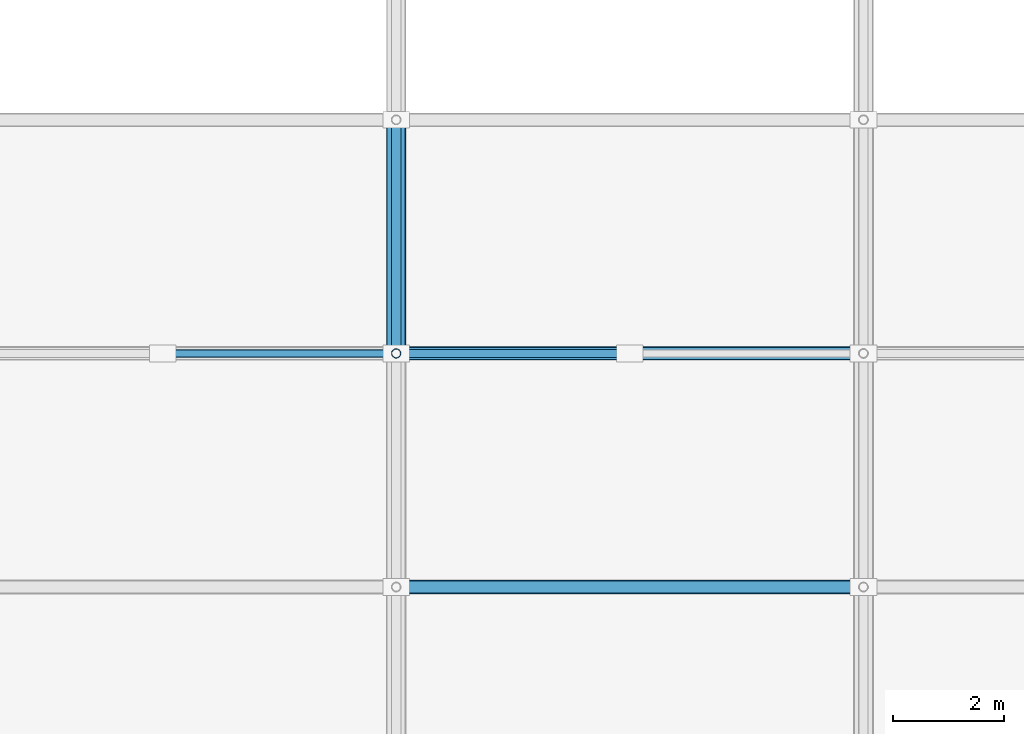
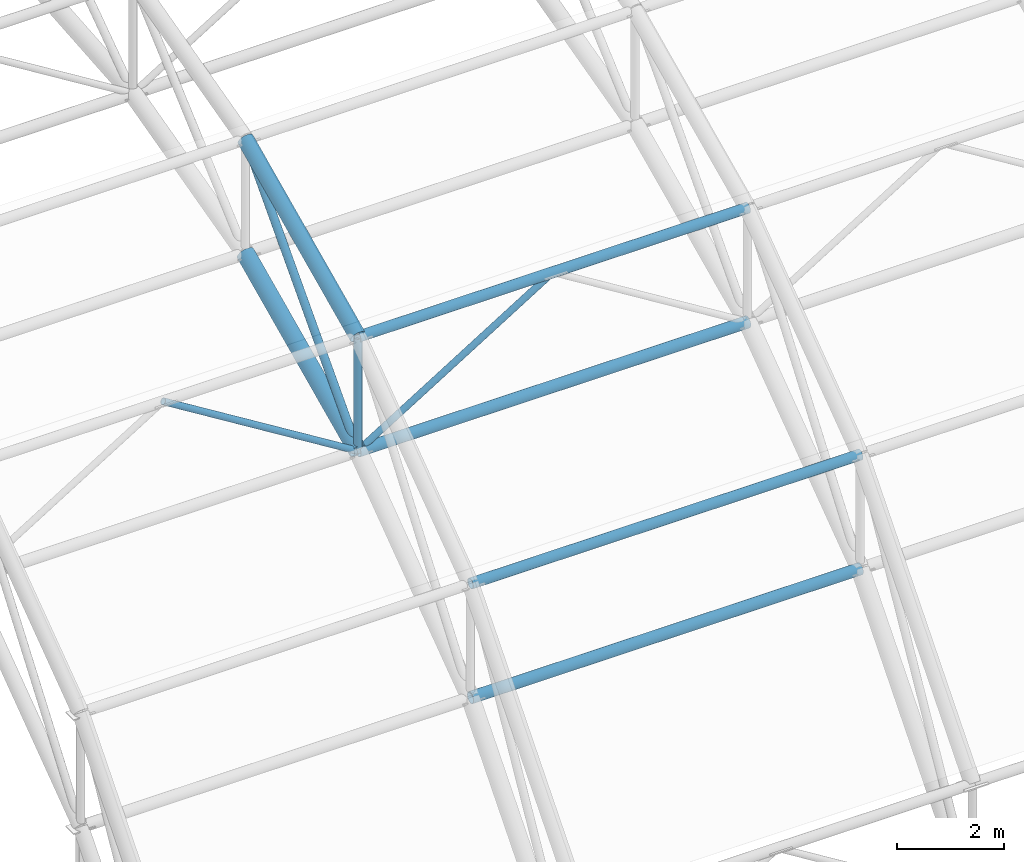
# One storey, part 9 of 103: 8 members, 2 beams.
"""IFC4 building model written with IfcOpenShell, lengths in metres."""

from ifc_helpers import new_model, si_unit, direction, frame, origin, origin_2d, place, context, subcontext, project, spatial, hollow_circle, extrude, material, material_profile, profile_set, type_object, element, save


model = new_model("IFC4")

# Units and contexts
model_context = context("Model", 3, precision=1e-05, world=origin(), true_north=direction((0.0, 1.0)))
body_context = subcontext(model_context, "Body", "Model", "MODEL_VIEW")
ifc_project = project(units=[si_unit("LENGTHUNIT", "METRE"), si_unit("AREAUNIT", "SQUARE_METRE"), si_unit("VOLUMEUNIT", "CUBIC_METRE"), si_unit("PLANEANGLEUNIT", "RADIAN"), si_unit("MASSUNIT", "GRAM", prefix="KILO")], contexts=[model_context])

# Site, building, storey
site_placement = place(None, origin())
site = spatial("IfcSite", under=ifc_project, at=site_placement, CompositionType="ELEMENT")
building_placement = place(site_placement, origin())
building = spatial("IfcBuilding", under=site, at=building_placement, Name="Varnapada Polytechnic", CompositionType="ELEMENT")
storey_placement = place(building_placement, frame((0.0, 0.0, 18.0)))
storey = spatial("IfcBuildingStorey", under=building, at=storey_placement, Name="L04", CompositionType="ELEMENT", Elevation=18.0)

# Members
ifc_material = material(Name="Steel S355", Category="steel")
ifc_material_profile_1 = material_profile(ifc_material, hollow_circle(Radius=0.122314453125, WallThickness=0.008056640625, at=origin_2d()), Name="CHS 244.5x8.0")
ifc_profile_set_1 = profile_set([ifc_material_profile_1], Name="Steel S355")
member_type_1 = type_object("IfcMemberType", Name="Vaulted space frame longitudinal bottom chord SFC-01 (CHS 244.5x8.0)", PredefinedType="CHORD", material=ifc_profile_set_1)
for number, where, z_axis, x_axis, name in (
    (1, (58.800048828125, 88.199951171875, 4.94921875), (1.0, 0.0, 0.0), (0.0, 1.0, 0.0), "Vaulted space frame longitudinal bottom chord 2.2"),
    (2, (58.800048828125, 92.39990234375, 8.02783203125), (1.0, 0.0, 0.0), (0.0, 1.0, 0.0), "Vaulted space frame longitudinal bottom chord 2.3"),
):
    element("IfcMember", number, at=place(storey_placement, frame(where, z_axis=z_axis, x_axis=x_axis)), inside=storey, type_object=member_type_1, Name=name, PredefinedType="CHORD", context=body_context, shape_type="SweptSolid", body=[
        extrude(hollow_circle(Radius=0.122314453125, WallThickness=0.008056640625, at=origin_2d()), origin(), (0.0, 0.0, 1.0), 8.39990234375),
    ])
ifc_material_profile_2 = material_profile(ifc_material, hollow_circle(Radius=0.109619140625, WallThickness=0.008056640625, at=origin_2d()), Name="CHS 219.1x8.0")
ifc_profile_set_2 = profile_set([ifc_material_profile_2], Name="Steel S355")
member_type_2 = type_object("IfcMemberType", Name="Vaulted space frame longitudinal top chord SFC-02 (CHS 219.1x8.0)", PredefinedType="CHORD", material=ifc_profile_set_2)
for number, where, z_axis, x_axis, name in (
    (3, (58.800048828125, 88.199951171875, 7.549072265625), (1.0, 0.0, 0.0), (0.0, 1.0, 0.0), "Vaulted space frame longitudinal top chord 2.2"),
    (4, (58.800048828125, 92.39990234375, 10.6279296875), (1.0, 0.0, 0.0), (0.0, 1.0, 0.0), "Vaulted space frame longitudinal top chord 2.3"),
):
    element("IfcMember", number, at=place(storey_placement, frame(where, z_axis=z_axis, x_axis=x_axis)), inside=storey, type_object=member_type_2, Name=name, PredefinedType="CHORD", context=body_context, shape_type="SweptSolid", body=[
        extrude(hollow_circle(Radius=0.109619140625, WallThickness=0.008056640625, at=origin_2d()), origin(), (0.0, 0.0, 1.0), 8.39990234375),
    ])

# Beam
ifc_material_profile_3 = material_profile(ifc_material, hollow_circle(Radius=0.177734375, WallThickness=0.012451171875, at=origin_2d()), Name="CHS 355.6x12.5")
ifc_profile_set_3 = profile_set([ifc_material_profile_3], Name="Steel S355")
beam_type_1 = type_object("IfcBeamType", Name="Vaulted space frame primary arch rib VA-01 (CHS 355.6x12.5)", PredefinedType="BEAM", material=ifc_profile_set_3)
beam_1_placement = place(storey_placement, frame((58.800048828125, 92.39990234375, 8.02783203125), z_axis=(0.0, 0.906677989805, 0.421823449802), x_axis=(-1.0, 0.0, 0.0)))
element("IfcBeam", 5, at=beam_1_placement, inside=storey, type_object=beam_type_1, Name="Vaulted space frame bottom arch chord 2.3", PredefinedType="BEAM", context=body_context, shape_type="SweptSolid", body=[
    extrude(hollow_circle(Radius=0.177734375, WallThickness=0.012451171875, at=origin_2d()), origin(), (0.0, 0.0, 1.0), 4.632568359375),
])

# Members
ifc_material_profile_4 = material_profile(ifc_material, hollow_circle(Radius=0.084228515625, WallThickness=0.00634765625, at=origin_2d()), Name="CHS 168.3x6.3")
ifc_profile_set_4 = profile_set([ifc_material_profile_4], Name="Steel S355")
member_type_3 = type_object("IfcMemberType", Name="Vaulted space frame primary web diagonal SFB-01 (CHS 168.3x6.3)", PredefinedType="BRACE", material=ifc_profile_set_4)
member_1_placement = place(storey_placement, frame((58.800048828125, 92.39990234375, 8.02783203125), z_axis=(0.0, 0.677978881407, 0.735081380777), x_axis=(-1.0, 0.0, 0.0)))
element("IfcMember", 6, at=member_1_placement, inside=storey, type_object=member_type_3, Name="Vaulted space frame web diagonal 2.3", PredefinedType="BRACE", context=body_context, shape_type="SweptSolid", body=[
    extrude(hollow_circle(Radius=0.084228515625, WallThickness=0.00634765625, at=origin_2d()), origin(), (0.0, 0.0, 1.0), 6.195068359375),
])
ifc_material_profile_5 = material_profile(ifc_material, hollow_circle(Radius=0.084228515625, WallThickness=0.00634765625, at=origin_2d()), Name="CHS 168.3x6.3")
ifc_profile_set_5 = profile_set([ifc_material_profile_5], Name="Steel S355")
member_type_4 = type_object("IfcMemberType", Name="Vaulted space frame radial web strut SFS-01 (CHS 168.3x6.3)", PredefinedType="STRUT", material=ifc_profile_set_5)
member_2_placement = place(storey_placement, frame((58.800048828125, 92.39990234375, 8.02783203125), z_axis=(0.0, 0.0, 1.0), x_axis=(1.0, 0.0, 0.0)))
element("IfcMember", 7, at=member_2_placement, inside=storey, type_object=member_type_4, Name="Vaulted space frame strut 2.3", PredefinedType="STRUT", context=body_context, shape_type="SweptSolid", body=[
    extrude(hollow_circle(Radius=0.084228515625, WallThickness=0.00634765625, at=origin_2d()), origin(), (0.0, 0.0, 1.0), 2.60009765625),
])
ifc_material_profile_6 = material_profile(ifc_material, hollow_circle(Radius=0.06982421875, WallThickness=0.0048828125, at=origin_2d()), Name="CHS 139.7x5.0")
ifc_profile_set_6 = profile_set([ifc_material_profile_6], Name="Steel S355")
member_type_5 = type_object("IfcMemberType", Name="Vaulted space frame secondary web diagonal SFB-02 (CHS 139.7x5.0)", PredefinedType="BRACE", material=ifc_profile_set_6)
for number, where, z_axis, x_axis, name in (
    (8, (58.800048828125, 92.39990234375, 8.02783203125), (-0.85025356003, 0.0, 0.526373331065), (0.0, -1.0, 0.0), "Vaulted space frame longitudinal brace 1.3B"),
    (9, (58.800048828125, 92.39990234375, 8.02783203125), (0.85025356003, 0.0, 0.526373331065), (0.0, 1.0, 0.0), "Vaulted space frame longitudinal brace 2.3A"),
):
    element("IfcMember", number, at=place(storey_placement, frame(where, z_axis=z_axis, x_axis=x_axis)), inside=storey, type_object=member_type_5, Name=name, PredefinedType="BRACE", context=body_context, shape_type="SweptSolid", body=[
        extrude(hollow_circle(Radius=0.06982421875, WallThickness=0.0048828125, at=origin_2d()), origin(), (0.0, 0.0, 1.0), 4.939697265625),
    ])

# Beam
ifc_material_profile_7 = material_profile(ifc_material, hollow_circle(Radius=0.161865234375, WallThickness=0.010009765625, at=origin_2d()), Name="CHS 323.9x10.0")
ifc_profile_set_7 = profile_set([ifc_material_profile_7], Name="Steel S355")
beam_type_2 = type_object("IfcBeamType", Name="Vaulted space frame upper arch rib VA-02 (CHS 323.9x10.0)", PredefinedType="BEAM", material=ifc_profile_set_7)
beam_2_placement = place(storey_placement, frame((58.800048828125, 92.39990234375, 10.6279296875), z_axis=(0.0, 0.906698145361, 0.421780124234), x_axis=(-1.0, 0.0, 0.0)))
element("IfcBeam", 10, at=beam_2_placement, inside=storey, type_object=beam_type_2, Name="Vaulted space frame top arch chord 2.3", PredefinedType="BEAM", context=body_context, shape_type="SweptSolid", body=[
    extrude(hollow_circle(Radius=0.161865234375, WallThickness=0.010009765625, at=origin_2d()), origin(), (0.0, 0.0, 1.0), 4.63232421875),
])

save(model, "model.ifc")
